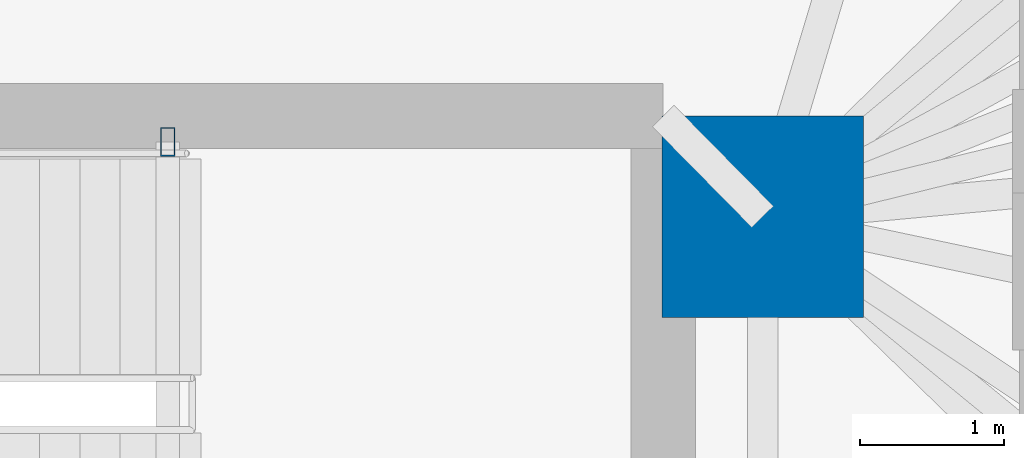
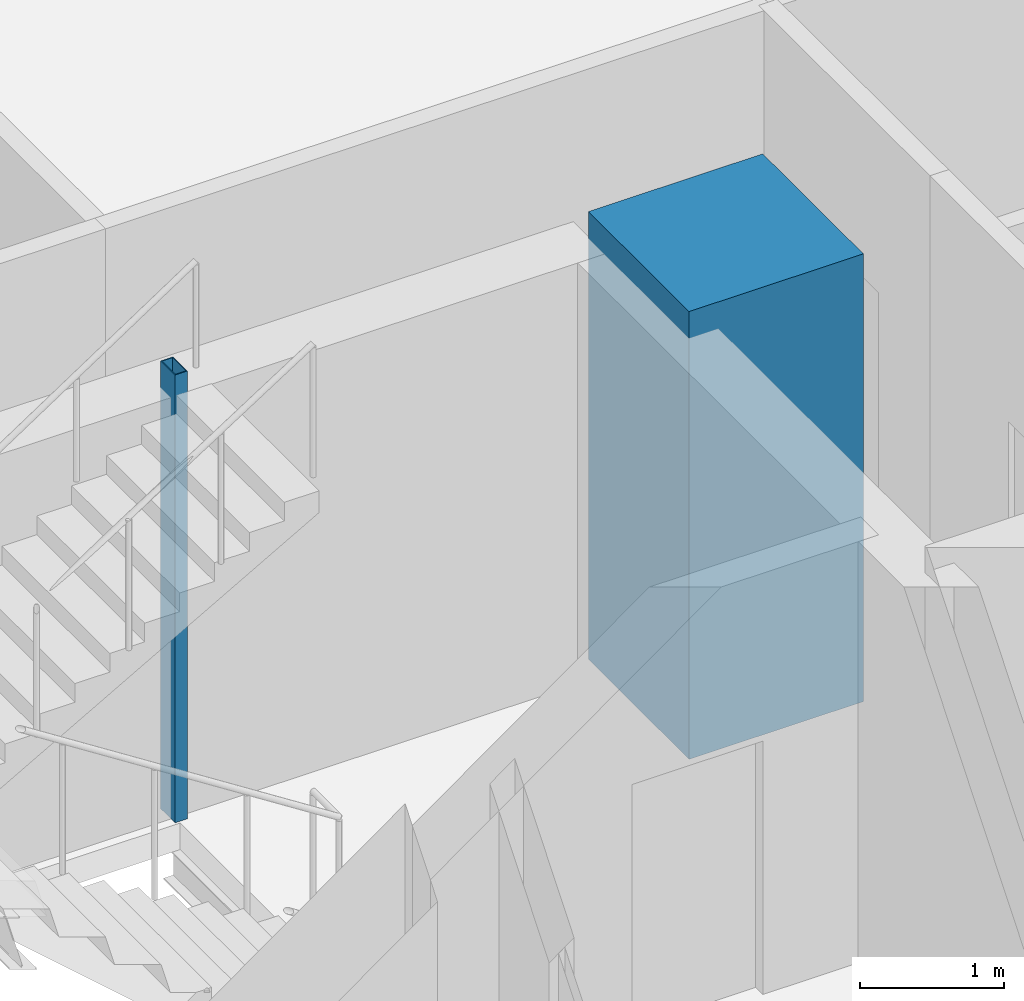
# One storey, part 4 of 17: 2 columns.
"""IFC4 building model written with IfcOpenShell, lengths in metres."""

from ifc_helpers import new_model, si_unit, direction, frame, origin, origin_2d, place, context, subcontext, project, spatial, rectangle, hollow_rectangle, extrude, material, material_profile, profile_set, type_object, element, save


model = new_model("IFC4")

# Units and contexts
model_context = context("Model", 3, precision=1e-05, world=origin(), true_north=direction((0.0, 1.0)))
body_context = subcontext(model_context, "Body", "Model", "MODEL_VIEW")
ifc_project = project(units=[si_unit("LENGTHUNIT", "METRE"), si_unit("AREAUNIT", "SQUARE_METRE"), si_unit("VOLUMEUNIT", "CUBIC_METRE"), si_unit("PLANEANGLEUNIT", "RADIAN"), si_unit("MASSUNIT", "GRAM", prefix="KILO")], contexts=[model_context])

# Site, building, storey
site_placement = place(None, origin())
site = spatial("IfcSite", under=ifc_project, at=site_placement, CompositionType="ELEMENT")
building_placement = place(site_placement, origin())
building = spatial("IfcBuilding", under=site, at=building_placement, Name="Menara Jurai Vektor", CompositionType="ELEMENT")
storey_placement = place(building_placement, frame((0.0, 0.0, 44.60009765625)))
storey = spatial("IfcBuildingStorey", under=building, at=storey_placement, Name="L10", CompositionType="ELEMENT", Elevation=44.60009765625)

# Columns
ifc_material_1 = material(Name="Concrete C60/75", Category="concrete")
ifc_material_profile_1 = material_profile(ifc_material_1, rectangle(XDim=1.39990234375, YDim=1.39990234375, at=origin_2d()), Name="RC 1400x1400")
ifc_profile_set_1 = profile_set([ifc_material_profile_1], Name="Concrete C60/75")
column_type_1 = type_object("IfcColumnType", Name="STR-COL-RC1400", PredefinedType="COLUMN", material=ifc_profile_set_1)
column_1_placement = place(storey_placement, frame((15.25, 4.89990234375, 0.0), z_axis=(0.0, 0.0, 1.0), x_axis=(1.0, 0.0, 0.0)))
element("IfcColumn", 1, at=column_1_placement, inside=storey, type_object=column_type_1, Name="Core Spine Column CE-NE L10", PredefinedType="COLUMN", context=body_context, shape_type="SweptSolid", body=[
    extrude(rectangle(XDim=1.39990234375, YDim=1.39990234375, at=origin_2d()), origin(), (0.0, 0.0, 1.0), 3.7998046875),
])
ifc_material_2 = material(Name="Steel S355", Category="steel")
ifc_material_profile_2 = material_profile(ifc_material_2, hollow_rectangle(XDim=0.10009765625, YDim=0.199951171875, WallThickness=0.008056640625, at=origin_2d()), Name="RHS 200x100x8")
ifc_profile_set_2 = profile_set([ifc_material_profile_2], Name="Steel S355")
column_type_2 = type_object("IfcColumnType", Name="STR-COL-STAIR", PredefinedType="COLUMN", material=ifc_profile_set_2)
column_2_placement = place(storey_placement, frame((11.1201171875, 5.419921875, 0.0), z_axis=(0.0, 0.0, 1.0), x_axis=(1.0, 0.0, 0.0)))
element("IfcColumn", 2, at=column_2_placement, inside=storey, type_object=column_type_2, Name="Stair Well Header Column ST2-P2 L10", PredefinedType="COLUMN", context=body_context, shape_type="SweptSolid", body=[
    extrude(hollow_rectangle(XDim=0.10009765625, YDim=0.199951171875, WallThickness=0.008056640625, at=origin_2d()), origin(), (0.0, 0.0, 1.0), 3.7998046875),
])

save(model, "model.ifc")
